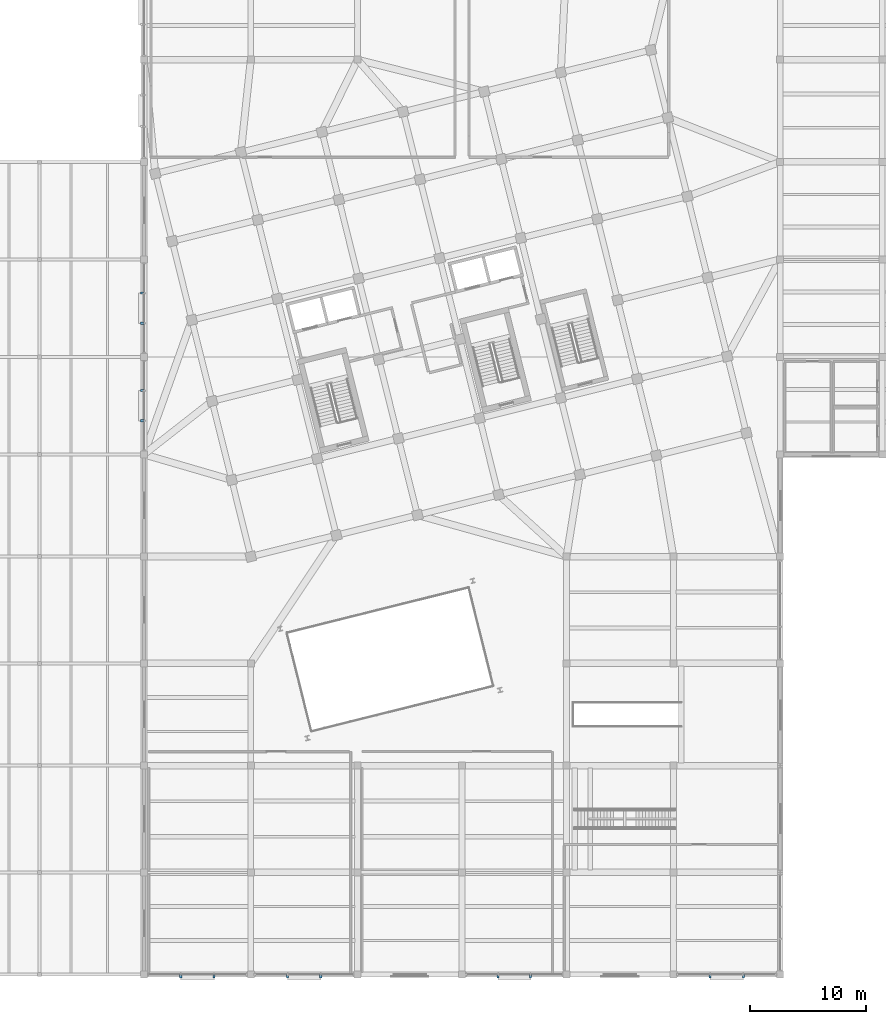
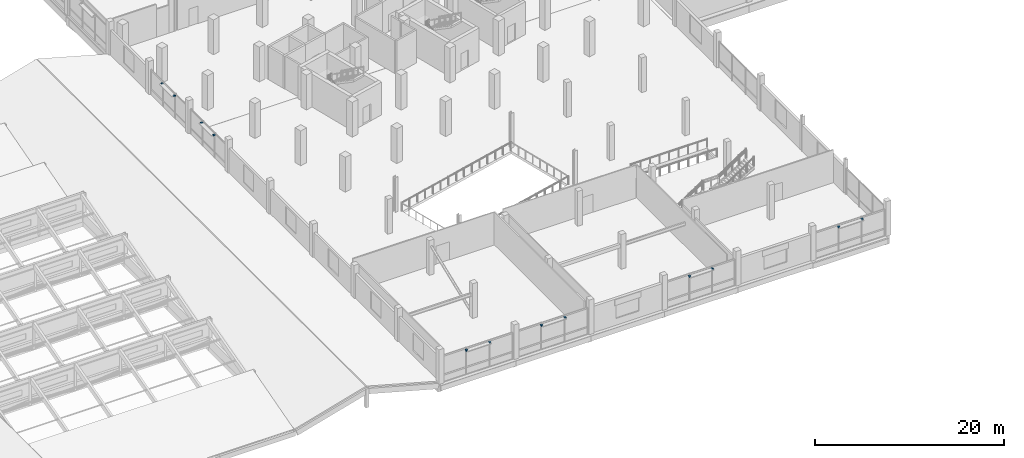
# One storey, part 71 of 77: 12 discrete accessories.
"""IFC4 building model written with IfcOpenShell, lengths in metres."""

from ifc_helpers import new_model, si_unit, direction, frame, origin, origin_2d, place, context, subcontext, project, spatial, rectangle, extrude, material, type_object, element, save


model = new_model("IFC4")

# Units and contexts
model_context = context("Model", 3, precision=1e-05, world=origin(), true_north=direction((0.0, 1.0)))
body_context = subcontext(model_context, "Body", "Model", "MODEL_VIEW")
ifc_project = project(units=[si_unit("LENGTHUNIT", "METRE"), si_unit("AREAUNIT", "SQUARE_METRE"), si_unit("VOLUMEUNIT", "CUBIC_METRE"), si_unit("PLANEANGLEUNIT", "RADIAN"), si_unit("MASSUNIT", "GRAM", prefix="KILO")], contexts=[model_context])

# Site, building, storey
site_placement = place(None, origin())
site = spatial("IfcSite", under=ifc_project, at=site_placement, CompositionType="ELEMENT")
building_placement = place(site_placement, origin())
building = spatial("IfcBuilding", under=site, at=building_placement, Name="Meriwether Solvik Hall", CompositionType="ELEMENT")
storey_placement = place(building_placement, frame((0.0, 0.0, 9.89990234375)))
storey = spatial("IfcBuildingStorey", under=building, at=storey_placement, Name="L02", CompositionType="ELEMENT", Elevation=9.89990234375)

# Discrete accessories
ifc_material = material(Name="Steel A36 Galvanised", Category="steel")
discrete_accessory_type = type_object("IfcDiscreteAccessoryType", Name="ACC-BRK-STL", PredefinedType="BRACKET", material=ifc_material)
for number, where, z_axis, x_axis, name in (
    (1, (65.429443359375, 5.06005859375, 3.09521484375), (0.0, 0.0, 1.0), (-1.0, 0.0, 0.0), "Sunshade Outrigger Bracket wing_XA_7_0-1"),
    (2, (62.570556640625, 5.06005859375, 3.09521484375), (0.0, 0.0, 1.0), (-1.0, 0.0, 0.0), "Sunshade Outrigger Bracket wing_XA_7_0-2"),
    (3, (74.62939453125, 5.06005859375, 3.09521484375), (0.0, 0.0, 1.0), (-1.0, 0.0, 0.0), "Sunshade Outrigger Bracket wing_XA_8_1-1"),
    (4, (71.770751953125, 5.06005859375, 3.09521484375), (0.0, 0.0, 1.0), (-1.0, 0.0, 0.0), "Sunshade Outrigger Bracket wing_XA_8_1-2"),
    (5, (92.696044921875, 5.06005859375, 3.09521484375), (0.0, 0.0, 1.0), (-1.0, 0.0, 0.0), "Sunshade Outrigger Bracket wing_XA_10_3-1"),
    (6, (89.904052734375, 5.06005859375, 3.09521484375), (0.0, 0.0, 1.0), (-1.0, 0.0, 0.0), "Sunshade Outrigger Bracket wing_XA_10_3-2"),
    (7, (111.029296875, 5.06005859375, 3.09521484375), (0.0, 0.0, 1.0), (-1.0, 0.0, 0.0), "Sunshade Outrigger Bracket wing_XA_12_5-1"),
    (8, (108.170654296875, 5.06005859375, 3.09521484375), (0.0, 0.0, 1.0), (-1.0, 0.0, 0.0), "Sunshade Outrigger Bracket wing_XA_12_5-2"),
    (9, (59.260009765625, 52.904052734375, 3.09521484375), (0.0, 0.0, 1.0), (0.0, 1.0, 0.0), "Sunshade Outrigger Bracket wing_Y7_6_29-1"),
    (10, (59.260009765625, 55.49609375, 3.09521484375), (0.0, 0.0, 1.0), (0.0, 1.0, 0.0), "Sunshade Outrigger Bracket wing_Y7_6_29-2"),
    (11, (59.260009765625, 61.303955078125, 3.09521484375), (0.0, 0.0, 1.0), (0.0, 1.0, 0.0), "Sunshade Outrigger Bracket wing_Y7_7_30-1"),
    (12, (59.260009765625, 63.89599609375, 3.09521484375), (0.0, 0.0, 1.0), (0.0, 1.0, 0.0), "Sunshade Outrigger Bracket wing_Y7_7_30-2"),
):
    element("IfcDiscreteAccessory", number, at=place(storey_placement, frame(where, z_axis=z_axis, x_axis=x_axis)), inside=storey, type_object=discrete_accessory_type, Name=name, PredefinedType="BRACKET", context=body_context, shape_type="SweptSolid", body=[
        extrude(rectangle(XDim=0.179931640625, YDim=0.280029296875, at=origin_2d()), origin(), (0.0, 0.0, 1.0), 0.159912109375),
    ])

save(model, "model.ifc")
